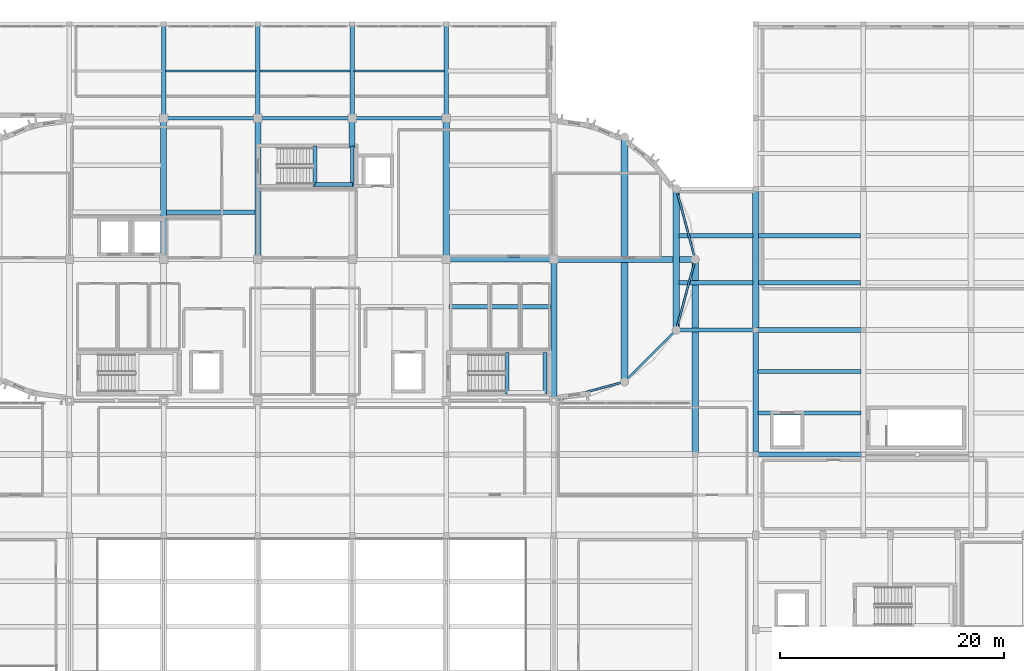
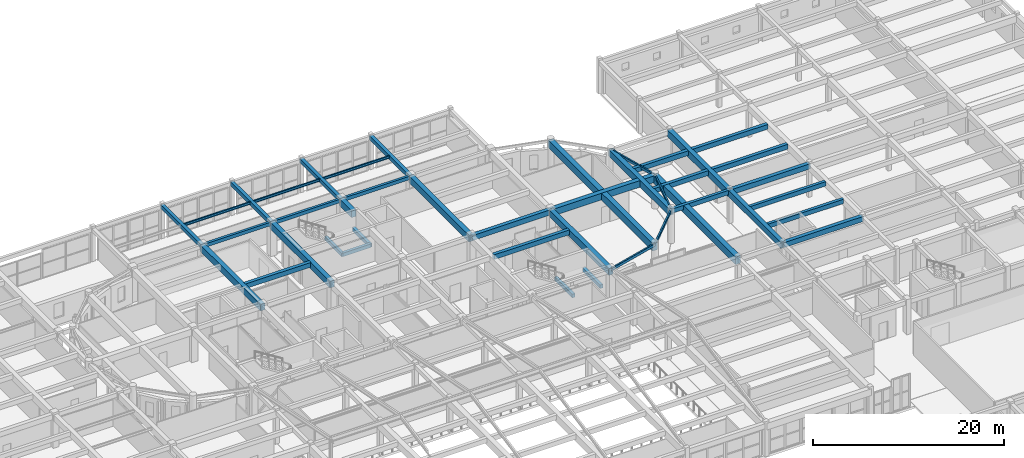
# One storey, part 46 of 91: 42 beams.
"""IFC4 building model written with IfcOpenShell, lengths in metres."""

from ifc_helpers import new_model, si_unit, direction, frame, origin, origin_2d, place, context, subcontext, project, spatial, rectangle, hollow_rectangle, i_section, extrude, material, material_profile, profile_set, type_object, element, save


model = new_model("IFC4")

# Units and contexts
model_context = context("Model", 3, precision=1e-05, world=origin(), true_north=direction((0.0, 1.0)))
body_context = subcontext(model_context, "Body", "Model", "MODEL_VIEW")
ifc_project = project(units=[si_unit("LENGTHUNIT", "METRE"), si_unit("AREAUNIT", "SQUARE_METRE"), si_unit("VOLUMEUNIT", "CUBIC_METRE"), si_unit("PLANEANGLEUNIT", "RADIAN"), si_unit("MASSUNIT", "GRAM", prefix="KILO")], contexts=[model_context])

# Site, building, storey
site_placement = place(None, origin())
site = spatial("IfcSite", under=ifc_project, at=site_placement, CompositionType="ELEMENT")
building_placement = place(site_placement, origin())
building = spatial("IfcBuilding", under=site, at=building_placement, Name="Tarnavel Promenade Courthouse", CompositionType="ELEMENT")
storey_placement = place(building_placement, frame((0.0, 0.0, 9.89990234375)))
storey = spatial("IfcBuildingStorey", under=building, at=storey_placement, Name="L03", CompositionType="ELEMENT", Elevation=9.89990234375)

# Beams
ifc_material_1 = material(Name="Concrete C40/50", Category="concrete")
ifc_material_profile_1 = material_profile(ifc_material_1, rectangle(XDim=0.35009765625, YDim=0.550048828125, at=origin_2d()), Name="PT 350x550")
ifc_profile_set_1 = profile_set([ifc_material_profile_1], Name="Concrete C40/50")
beam_type_1 = type_object("IfcBeamType", Name="Concrete C40/50 BM-PT-350x550 (PT 350x550)", PredefinedType="JOIST", material=ifc_profile_set_1)
for number, where, z_axis, x_axis, name in (
    (1, (120.219970703125, 78.10009765625, 3.97021484375), (1.0, 0.0, 0.0), (0.0, 1.0, 0.0), "L03 Secondary Floor Rib 1872"),
    (2, (120.219970703125, 81.800048828125, 3.97021484375), (1.0, 0.0, 0.0), (0.0, 1.0, 0.0), "L03 Secondary Floor Rib 1873"),
):
    element("IfcBeam", number, at=place(storey_placement, frame(where, z_axis=z_axis, x_axis=x_axis)), inside=storey, type_object=beam_type_1, Name=name, PredefinedType="JOIST", context=body_context, shape_type="SweptSolid", body=[
        extrude(rectangle(XDim=0.35009765625, YDim=0.550048828125, at=origin_2d()), origin(), (0.0, 0.0, 1.0), 9.159912109375),
    ])
ifc_material_profile_2 = material_profile(ifc_material_1, rectangle(XDim=0.39990234375, YDim=0.60009765625, at=origin_2d()), Name="PT 400x600")
ifc_profile_set_2 = profile_set([ifc_material_profile_2], Name="Concrete C40/50")
beam_type_2 = type_object("IfcBeamType", Name="Concrete C40/50 BM-PT-400x600 (PT 400x600)", PredefinedType="JOIST", material=ifc_profile_set_2)
for number, where, z_axis, x_axis, name in (
    (3, (113.156982421875, 89.699951171875, 3.945068359375), (1.0, 0.0, 0.0), (0.0, 1.0, 0.0), "L03 Secondary Floor Rib 1889"),
    (4, (113.156982421875, 93.89990234375, 3.945068359375), (1.0, 0.0, 0.0), (0.0, 1.0, 0.0), "L03 Secondary Floor Rib 1890"),
):
    element("IfcBeam", number, at=place(storey_placement, frame(where, z_axis=z_axis, x_axis=x_axis)), inside=storey, type_object=beam_type_2, Name=name, PredefinedType="JOIST", context=body_context, shape_type="SweptSolid", body=[
        extrude(rectangle(XDim=0.39990234375, YDim=0.60009765625, at=origin_2d()), origin(), (0.0, 0.0, 1.0), 6.597900390625),
    ])
for number, where, z_axis, x_axis, name in (
    (5, (120.2451171875, 89.699951171875, 3.945068359375), (1.0, 0.0, 0.0), (0.0, 1.0, 0.0), "L03 Secondary Floor Rib 1891"),
    (6, (120.2451171875, 93.89990234375, 3.945068359375), (1.0, 0.0, 0.0), (0.0, 1.0, 0.0), "L03 Secondary Floor Rib 1892"),
    (7, (92.64501953125, 87.60009765625, 3.945068359375), (1.0, 0.0, 0.0), (0.0, 1.0, 0.0), "L03 Secondary Floor Rib 1941"),
):
    element("IfcBeam", number, at=place(storey_placement, frame(where, z_axis=z_axis, x_axis=x_axis)), inside=storey, type_object=beam_type_2, Name=name, PredefinedType="JOIST", context=body_context, shape_type="SweptSolid", body=[
        extrude(rectangle(XDim=0.39990234375, YDim=0.60009765625, at=origin_2d()), origin(), (0.0, 0.0, 1.0), 9.10986328125),
    ])
beam_1_placement = place(storey_placement, frame((67.445068359375, 96.0, 3.945068359375), z_axis=(1.0, 0.0, 0.0), x_axis=(0.0, 1.0, 0.0)))
element("IfcBeam", 8, at=beam_1_placement, inside=storey, type_object=beam_type_2, Name="L03 Secondary Floor Rib 1944", PredefinedType="JOIST", context=body_context, shape_type="SweptSolid", body=[
    extrude(rectangle(XDim=0.39990234375, YDim=0.60009765625, at=origin_2d()), origin(), (0.0, 0.0, 1.0), 7.909912109375),
])
ifc_material_profile_3 = material_profile(ifc_material_1, rectangle(XDim=0.5, YDim=0.800048828125, at=origin_2d()), Name="PT 500x800")
ifc_profile_set_3 = profile_set([ifc_material_profile_3], Name="Concrete C40/50")
beam_type_3 = type_object("IfcBeamType", Name="Concrete C40/50 BM-PT-500x800 (PT 500x800)", PredefinedType="T_BEAM", material=ifc_profile_set_3)
beam_2_placement = place(storey_placement, frame((120.0, 74.39990234375, 3.84521484375), z_axis=(0.0, 1.0, 0.0), x_axis=(-1.0, 0.0, 0.0)))
element("IfcBeam", 9, at=beam_2_placement, inside=storey, type_object=beam_type_3, Name="L03 Transverse Girder 1783", PredefinedType="T_BEAM", context=body_context, shape_type="SweptSolid", body=[
    extrude(rectangle(XDim=0.5, YDim=0.800048828125, at=origin_2d()), origin(), (0.0, 0.0, 1.0), 11.10009765625),
])
ifc_material_profile_4 = material_profile(ifc_material_1, rectangle(XDim=0.550048828125, YDim=0.85009765625, at=origin_2d()), Name="PT 550x850")
ifc_profile_set_4 = profile_set([ifc_material_profile_4], Name="Concrete C40/50")
beam_type_4 = type_object("IfcBeamType", Name="Concrete C40/50 BM-PT-550x850 (PT 550x850)", PredefinedType="T_BEAM", material=ifc_profile_set_4)
beam_3_placement = place(storey_placement, frame((102.0, 91.800048828125, 3.820068359375), z_axis=(1.0, 0.0, 0.0), x_axis=(0.0, 1.0, 0.0)))
element("IfcBeam", 10, at=beam_3_placement, inside=storey, type_object=beam_type_4, Name="L03 Primary Longitudinal Beam 1650", PredefinedType="T_BEAM", context=body_context, shape_type="SweptSolid", body=[
    extrude(rectangle(XDim=0.550048828125, YDim=0.85009765625, at=origin_2d()), origin(), (0.0, 0.0, 1.0), 12.60009765625),
])
for number, where, z_axis, x_axis, name in (
    (11, (67.199951171875, 91.800048828125, 3.820068359375), (0.0, 1.0, 0.0), (-1.0, 0.0, 0.0), "L03 Transverse Girder 1748"),
    (12, (75.60009765625, 91.800048828125, 3.820068359375), (0.0, 1.0, 0.0), (-1.0, 0.0, 0.0), "L03 Transverse Girder 1754"),
):
    element("IfcBeam", number, at=place(storey_placement, frame(where, z_axis=z_axis, x_axis=x_axis)), inside=storey, type_object=beam_type_4, Name=name, PredefinedType="T_BEAM", context=body_context, shape_type="SweptSolid", body=[
        extrude(rectangle(XDim=0.550048828125, YDim=0.85009765625, at=origin_2d()), origin(), (0.0, 0.0, 1.0), 12.599853515625),
    ])
beam_4_placement = place(storey_placement, frame((84.0, 101.7900390625, 3.820068359375), z_axis=(0.0, 1.0, 0.0), x_axis=(-1.0, 0.0, 0.0)))
element("IfcBeam", 13, at=beam_4_placement, inside=storey, type_object=beam_type_4, Name="L03 Transverse Girder 1761", PredefinedType="T_BEAM", context=body_context, shape_type="SweptSolid", body=[
    extrude(rectangle(XDim=0.550048828125, YDim=0.85009765625, at=origin_2d()), origin(), (0.0, 0.0, 1.0), 2.60986328125),
])
beam_5_placement = place(storey_placement, frame((92.39990234375, 91.800048828125, 3.820068359375), z_axis=(0.0, 1.0, 0.0), x_axis=(-1.0, 0.0, 0.0)))
element("IfcBeam", 14, at=beam_5_placement, inside=storey, type_object=beam_type_4, Name="L03 Transverse Girder 1767", PredefinedType="T_BEAM", context=body_context, shape_type="SweptSolid", body=[
    extrude(rectangle(XDim=0.550048828125, YDim=0.85009765625, at=origin_2d()), origin(), (0.0, 0.0, 1.0), 12.599853515625),
])
for number, where, z_axis, x_axis, name in (
    (15, (102.0, 79.199951171875, 3.820068359375), (0.0, 1.0, 0.0), (-1.0, 0.0, 0.0), "L03 Transverse Girder 1772"),
    (16, (112.911865234375, 85.5, 3.820068359375), (0.0, 1.0, 0.0), (-1.0, 0.0, 0.0), "L03 Transverse Girder 1776"),
    (17, (120.0, 85.5, 3.820068359375), (0.0, 1.0, 0.0), (-1.0, 0.0, 0.0), "L03 Transverse Girder 1784"),
):
    element("IfcBeam", number, at=place(storey_placement, frame(where, z_axis=z_axis, x_axis=x_axis)), inside=storey, type_object=beam_type_4, Name=name, PredefinedType="T_BEAM", context=body_context, shape_type="SweptSolid", body=[
        extrude(rectangle(XDim=0.550048828125, YDim=0.85009765625, at=origin_2d()), origin(), (0.0, 0.0, 1.0), 12.60009765625),
    ])
ifc_material_profile_5 = material_profile(ifc_material_1, rectangle(XDim=0.60009765625, YDim=0.949951171875, at=origin_2d()), Name="PT 600x950")
ifc_profile_set_5 = profile_set([ifc_material_profile_5], Name="Concrete C40/50")
beam_type_5 = type_object("IfcBeamType", Name="Concrete C40/50 BM-PT-600x950 (PT 600x950)", PredefinedType="T_BEAM", material=ifc_profile_set_5)
beam_6_placement = place(storey_placement, frame((108.300048828125, 80.88818359375, 3.77001953125), z_axis=(0.0, 1.0, 0.0), x_axis=(-1.0, 0.0, 0.0)))
element("IfcBeam", 18, at=beam_6_placement, inside=storey, type_object=beam_type_5, Name="L03 Transverse Girder 1775", PredefinedType="T_BEAM", context=body_context, shape_type="SweptSolid", body=[
    extrude(rectangle(XDim=0.60009765625, YDim=0.949951171875, at=origin_2d()), origin(), (0.0, 0.0, 1.0), 21.82373046875),
])
beam_7_placement = place(storey_placement, frame((114.60009765625, 74.39990234375, 3.77001953125), z_axis=(0.0, 1.0, 0.0), x_axis=(-1.0, 0.0, 0.0)))
element("IfcBeam", 19, at=beam_7_placement, inside=storey, type_object=beam_type_5, Name="L03 Transverse Girder 1779", PredefinedType="T_BEAM", context=body_context, shape_type="SweptSolid", body=[
    extrude(rectangle(XDim=0.60009765625, YDim=0.949951171875, at=origin_2d()), origin(), (0.0, 0.0, 1.0), 17.400146484375),
])
ifc_material_profile_6 = material_profile(ifc_material_1, rectangle(XDim=0.35009765625, YDim=0.449951171875, at=origin_2d()), Name="RC 350x450")
ifc_profile_set_6 = profile_set([ifc_material_profile_6], Name="Concrete C40/50")
beam_type_6 = type_object("IfcBeamType", Name="Concrete C40/50 BM-RC-350x450 (RC 350x450)", PredefinedType="BEAM", material=ifc_profile_set_6)
for number, where, z_axis, x_axis, name in (
    (20, (97.840087890625, 79.800048828125, 1.820068359375), (0.0, 1.0, 0.0), (-1.0, 0.0, 0.0), "L03 ST-02 Mid-Landing Support Beam Near"),
    (21, (101.219970703125, 79.800048828125, 1.820068359375), (0.0, 1.0, 0.0), (-1.0, 0.0, 0.0), "L03 ST-02 Mid-Landing Support Beam Far"),
):
    element("IfcBeam", number, at=place(storey_placement, frame(where, z_axis=z_axis, x_axis=x_axis)), inside=storey, type_object=beam_type_6, Name=name, PredefinedType="BEAM", context=body_context, shape_type="SweptSolid", body=[
        extrude(rectangle(XDim=0.35009765625, YDim=0.449951171875, at=origin_2d()), origin(), (0.0, 0.0, 1.0), 3.719970703125),
    ])
for number, where, z_axis, x_axis, name in (
    (22, (80.68994140625, 98.320068359375, 1.820068359375), (0.0, 1.0, 0.0), (-1.0, 0.0, 0.0), "L03 ST-03 Mid-Landing Support Beam Near"),
    (23, (84.02001953125, 98.320068359375, 1.820068359375), (0.0, 1.0, 0.0), (-1.0, 0.0, 0.0), "L03 ST-03 Mid-Landing Support Beam Far"),
):
    element("IfcBeam", number, at=place(storey_placement, frame(where, z_axis=z_axis, x_axis=x_axis)), inside=storey, type_object=beam_type_6, Name=name, PredefinedType="BEAM", context=body_context, shape_type="SweptSolid", body=[
        extrude(rectangle(XDim=0.35009765625, YDim=0.449951171875, at=origin_2d()), origin(), (0.0, 0.0, 1.0), 3.599853515625),
    ])
beam_8_placement = place(storey_placement, frame((80.68994140625, 98.469970703125, 1.820068359375), z_axis=(1.0, 0.0, 0.0), x_axis=(0.0, 1.0, 0.0)))
element("IfcBeam", 24, at=beam_8_placement, inside=storey, type_object=beam_type_6, Name="L03 ST-03 Mid-Landing Edge Trimmer", PredefinedType="BEAM", context=body_context, shape_type="SweptSolid", body=[
    extrude(rectangle(XDim=0.35009765625, YDim=0.449951171875, at=origin_2d()), origin(), (0.0, 0.0, 1.0), 3.330078125),
])
ifc_material_profile_7 = material_profile(ifc_material_1, rectangle(XDim=0.35009765625, YDim=0.550048828125, at=origin_2d()), Name="RC 350x550")
ifc_profile_set_7 = profile_set([ifc_material_profile_7], Name="Concrete C40/50")
beam_type_7 = type_object("IfcBeamType", Name="Concrete C40/50 BM-RC-350x550 (RC 350x550)", PredefinedType="BEAM", material=ifc_profile_set_7)
beam_9_placement = place(storey_placement, frame((112.911865234375, 85.5, 3.97021484375), z_axis=(1.0, 0.0, 0.0), x_axis=(0.0, 1.0, 0.0)))
element("IfcBeam", 25, at=beam_9_placement, inside=storey, type_object=beam_type_7, Name="L03 Primary Longitudinal Beam 1639", PredefinedType="BEAM", context=body_context, shape_type="SweptSolid", body=[
    extrude(rectangle(XDim=0.35009765625, YDim=0.550048828125, at=origin_2d()), origin(), (0.0, 0.0, 1.0), 7.088134765625),
])
ifc_material_profile_8 = material_profile(ifc_material_1, rectangle(XDim=0.39990234375, YDim=0.5, at=origin_2d()), Name="RC 400x500")
ifc_profile_set_8 = profile_set([ifc_material_profile_8], Name="Concrete C40/50")
beam_type_8 = type_object("IfcBeamType", Name="Concrete C40/50 BM-RC-400x500 (RC 400x500)", PredefinedType="BEAM", material=ifc_profile_set_8)
for number, where, z_axis, x_axis, name in (
    (26, (67.199951171875, 104.39990234375, 3.9951171875), (0.0, 1.0, 0.0), (-1.0, 0.0, 0.0), "L03 Transverse Girder 1749"),
    (27, (75.60009765625, 104.39990234375, 3.9951171875), (0.0, 1.0, 0.0), (-1.0, 0.0, 0.0), "L03 Transverse Girder 1755"),
    (28, (84.0, 104.39990234375, 3.9951171875), (0.0, 1.0, 0.0), (-1.0, 0.0, 0.0), "L03 Transverse Girder 1762"),
    (29, (92.39990234375, 104.39990234375, 3.9951171875), (0.0, 1.0, 0.0), (-1.0, 0.0, 0.0), "L03 Transverse Girder 1768"),
):
    element("IfcBeam", number, at=place(storey_placement, frame(where, z_axis=z_axis, x_axis=x_axis)), inside=storey, type_object=beam_type_8, Name=name, PredefinedType="BEAM", context=body_context, shape_type="SweptSolid", body=[
        extrude(rectangle(XDim=0.39990234375, YDim=0.5, at=origin_2d()), origin(), (0.0, 0.0, 1.0), 8.400146484375),
    ])
ifc_material_profile_9 = material_profile(ifc_material_1, rectangle(XDim=0.449951171875, YDim=0.64990234375, at=origin_2d()), Name="RC 450x650")
ifc_profile_set_9 = profile_set([ifc_material_profile_9], Name="Concrete C40/50")
beam_type_9 = type_object("IfcBeamType", Name="Concrete C40/50 BM-RC-450x650 (RC 450x650)", PredefinedType="T_BEAM", material=ifc_profile_set_9)
for number, where, z_axis, x_axis, name in (
    (30, (120.0, 74.39990234375, 3.920166015625), (1.0, 0.0, 0.0), (0.0, 1.0, 0.0), "L03 Primary Longitudinal Beam 1624"),
    (31, (120.0, 85.5, 3.920166015625), (1.0, 0.0, 0.0), (0.0, 1.0, 0.0), "L03 Primary Longitudinal Beam 1640"),
    (32, (92.39990234375, 91.800048828125, 3.920166015625), (1.0, 0.0, 0.0), (0.0, 1.0, 0.0), "L03 Primary Longitudinal Beam 1649"),
):
    element("IfcBeam", number, at=place(storey_placement, frame(where, z_axis=z_axis, x_axis=x_axis)), inside=storey, type_object=beam_type_9, Name=name, PredefinedType="T_BEAM", context=body_context, shape_type="SweptSolid", body=[
        extrude(rectangle(XDim=0.449951171875, YDim=0.64990234375, at=origin_2d()), origin(), (0.0, 0.0, 1.0), 9.60009765625),
    ])
ifc_material_profile_10 = material_profile(ifc_material_1, rectangle(XDim=0.300048828125, YDim=0.449951171875, at=origin_2d()), Name="RC 300x450")
ifc_profile_set_10 = profile_set([ifc_material_profile_10], Name="Concrete C40/50")
beam_type_10 = type_object("IfcBeamType", Name="Concrete C40/50 BM-SP-300x450 (RC 300x450)", PredefinedType="SPANDREL", material=ifc_profile_set_10)
beam_10_placement = place(storey_placement, frame((67.199951171875, 104.39990234375, 4.02001953125), z_axis=(1.0, 0.0, 0.0), x_axis=(0.0, 1.0, 0.0)))
element("IfcBeam", 33, at=beam_10_placement, inside=storey, type_object=beam_type_10, Name="L03 Primary Longitudinal Beam 1663", PredefinedType="SPANDREL", context=body_context, shape_type="SweptSolid", body=[
    extrude(rectangle(XDim=0.300048828125, YDim=0.449951171875, at=origin_2d()), origin(), (0.0, 0.0, 1.0), 8.400146484375),
])
for number, where, z_axis, x_axis, name in (
    (34, (75.60009765625, 104.39990234375, 4.02001953125), (1.0, 0.0, 0.0), (0.0, 1.0, 0.0), "L03 Primary Longitudinal Beam 1664"),
    (35, (84.0, 104.39990234375, 4.02001953125), (1.0, 0.0, 0.0), (0.0, 1.0, 0.0), "L03 Primary Longitudinal Beam 1665"),
):
    element("IfcBeam", number, at=place(storey_placement, frame(where, z_axis=z_axis, x_axis=x_axis)), inside=storey, type_object=beam_type_10, Name=name, PredefinedType="SPANDREL", context=body_context, shape_type="SweptSolid", body=[
        extrude(rectangle(XDim=0.300048828125, YDim=0.449951171875, at=origin_2d()), origin(), (0.0, 0.0, 1.0), 8.39990234375),
    ])
ifc_material_2 = material(Name="Steel S355J2", Category="steel")
ifc_material_profile_11 = material_profile(ifc_material_2, i_section(OverallWidth=0.159912109375, OverallDepth=0.330078125, WebThickness=0.007568359375, FlangeThickness=0.011474609375, FilletRadius=0.01806640625, at=origin_2d()), Name="IPE 330")
ifc_profile_set_11 = profile_set([ifc_material_profile_11], Name="Steel S355J2")
beam_type_11 = type_object("IfcBeamType", Name="Steel S355J2 BM-ST-IPE330 (IPE 330)", PredefinedType="JOIST", material=ifc_profile_set_11)
beam_11_placement = place(storey_placement, frame((67.3701171875, 108.60009765625, 4.080078125), z_axis=(1.0, 0.0, 0.0), x_axis=(0.0, 1.0, 0.0)))
element("IfcBeam", 36, at=beam_11_placement, inside=storey, type_object=beam_type_11, Name="L03 Secondary Floor Rib 1948", PredefinedType="JOIST", context=body_context, shape_type="SweptSolid", body=[
    extrude(i_section(OverallWidth=0.159912109375, OverallDepth=0.330078125, WebThickness=0.007568359375, FlangeThickness=0.011474609375, FilletRadius=0.01806640625, at=origin_2d()), origin(), (0.0, 0.0, 1.0), 8.059814453125),
])
for number, where, z_axis, x_axis, name in (
    (37, (75.77001953125, 108.60009765625, 4.080078125), (1.0, 0.0, 0.0), (0.0, 1.0, 0.0), "L03 Secondary Floor Rib 1949"),
    (38, (84.169921875, 108.60009765625, 4.080078125), (1.0, 0.0, 0.0), (0.0, 1.0, 0.0), "L03 Secondary Floor Rib 1950"),
):
    element("IfcBeam", number, at=place(storey_placement, frame(where, z_axis=z_axis, x_axis=x_axis)), inside=storey, type_object=beam_type_11, Name=name, PredefinedType="JOIST", context=body_context, shape_type="SweptSolid", body=[
        extrude(i_section(OverallWidth=0.159912109375, OverallDepth=0.330078125, WebThickness=0.007568359375, FlangeThickness=0.011474609375, FilletRadius=0.01806640625, at=origin_2d()), origin(), (0.0, 0.0, 1.0), 8.06005859375),
    ])
ifc_material_profile_12 = material_profile(ifc_material_2, hollow_rectangle(XDim=0.199951171875, YDim=0.35009765625, WallThickness=0.012451171875, InnerFilletRadius=0.012451171875, OuterFilletRadius=0.02490234375, at=origin_2d()), Name="RHS 350x200x12.5")
ifc_profile_set_12 = profile_set([ifc_material_profile_12], Name="Steel S355J2")
beam_type_12 = type_object("IfcBeamType", Name="Steel S355J2 BM-ST-RHS350 (RHS 350x200x12.5)", PredefinedType="SPANDREL", material=ifc_profile_set_12)
beam_12_placement = place(storey_placement, frame((102.0, 79.199951171875, 4.070068359375), z_axis=(0.965920481897, 0.258838989821, 0.0), x_axis=(-0.258838989821, 0.965920481897, 0.0)))
element("IfcBeam", 39, at=beam_12_placement, inside=storey, type_object=beam_type_12, Name="L03 Drum Ring Spandrel 1970", PredefinedType="SPANDREL", context=body_context, shape_type="SweptSolid", body=[
    extrude(hollow_rectangle(XDim=0.199951171875, YDim=0.35009765625, WallThickness=0.012451171875, InnerFilletRadius=0.012451171875, OuterFilletRadius=0.02490234375, at=origin_2d()), origin(), (0.0, 0.0, 1.0), 6.522216796875),
])
beam_13_placement = place(storey_placement, frame((108.300048828125, 80.88818359375, 4.070068359375), z_axis=(0.707106781187, 0.707106781187, 0.0), x_axis=(-0.707106781187, 0.707106781187, 0.0)))
element("IfcBeam", 40, at=beam_13_placement, inside=storey, type_object=beam_type_12, Name="L03 Drum Ring Spandrel 1971", PredefinedType="SPANDREL", context=body_context, shape_type="SweptSolid", body=[
    extrude(hollow_rectangle(XDim=0.199951171875, YDim=0.35009765625, WallThickness=0.012451171875, InnerFilletRadius=0.012451171875, OuterFilletRadius=0.02490234375, at=origin_2d()), origin(), (0.0, 0.0, 1.0), 6.52197265625),
])
for number, where, z_axis, x_axis, name in (
    (41, (112.911865234375, 85.5, 4.070068359375), (0.258838989821, 0.965920481897, 0.0), (-0.965920481897, 0.258838989821, 0.0), "L03 Drum Ring Spandrel 1972"),
    (42, (114.60009765625, 91.800048828125, 4.070068359375), (-0.258838989821, 0.965920481897, 0.0), (-0.965920481897, -0.258838989821, 0.0), "L03 Drum Ring Spandrel 1973"),
):
    element("IfcBeam", number, at=place(storey_placement, frame(where, z_axis=z_axis, x_axis=x_axis)), inside=storey, type_object=beam_type_12, Name=name, PredefinedType="SPANDREL", context=body_context, shape_type="SweptSolid", body=[
        extrude(hollow_rectangle(XDim=0.199951171875, YDim=0.35009765625, WallThickness=0.012451171875, InnerFilletRadius=0.012451171875, OuterFilletRadius=0.02490234375, at=origin_2d()), origin(), (0.0, 0.0, 1.0), 6.522216796875),
    ])

save(model, "model.ifc")
